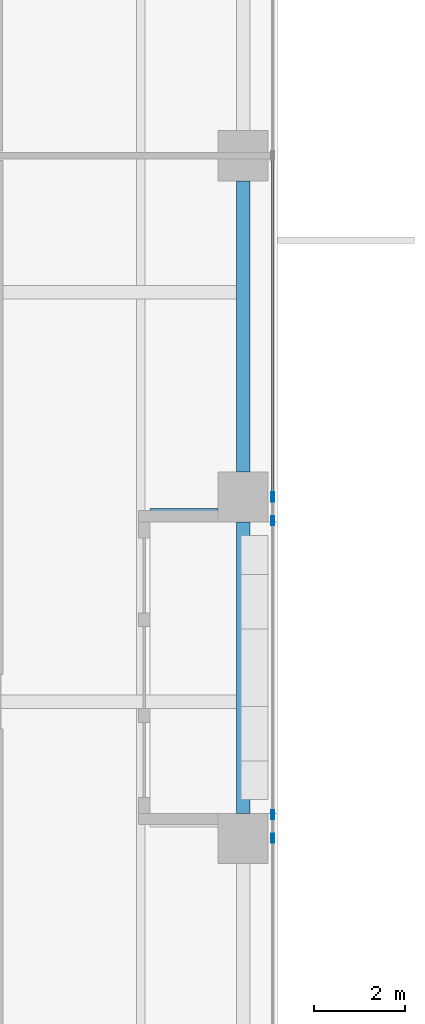
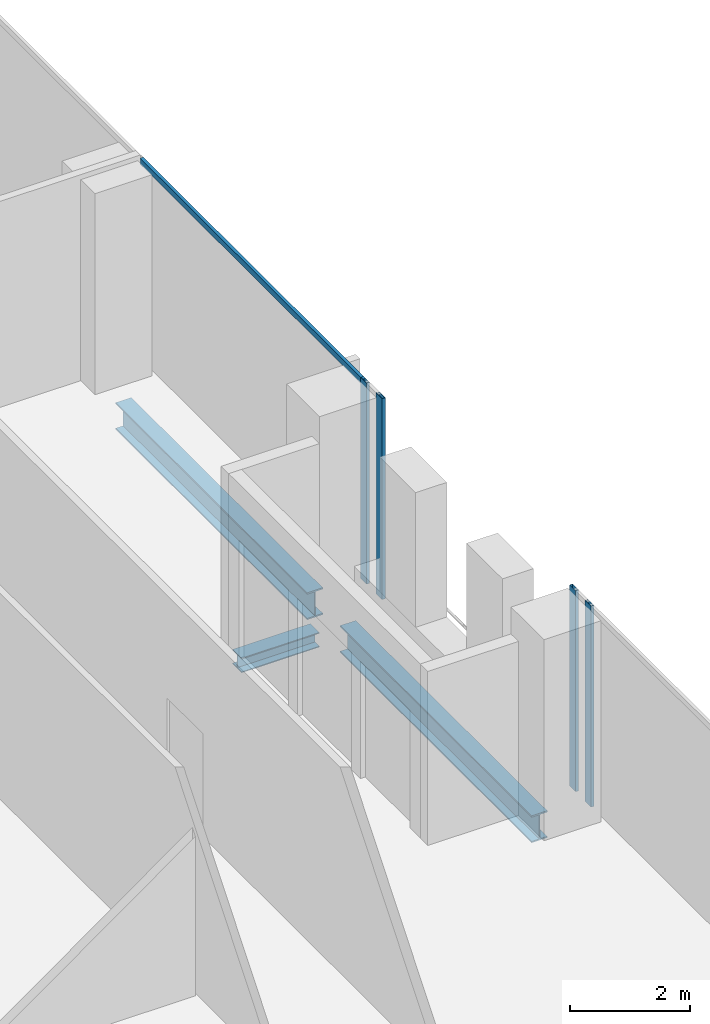
# One storey, part 13 of 34: 5 members, 3 beams, 2 elements without a shape of their own.
"""IFC4 building model written with IfcOpenShell, lengths in metres."""

from ifc_helpers import new_model, si_unit, direction, frame, origin, origin_2d, place, context, subcontext, project, spatial, hollow_rectangle, i_section, extrude, source, transform, mapped, material, material_profile, profile_set, type_object, element, aggregate, save


model = new_model("IFC4")

# Units and contexts
model_context = context("Model", 3, precision=1e-05, world=origin(), true_north=direction((0.0, 1.0)))
body_context = subcontext(model_context, "Body", "Model", "MODEL_VIEW")
ifc_project = project(units=[si_unit("LENGTHUNIT", "METRE"), si_unit("AREAUNIT", "SQUARE_METRE"), si_unit("VOLUMEUNIT", "CUBIC_METRE"), si_unit("PLANEANGLEUNIT", "RADIAN"), si_unit("MASSUNIT", "GRAM", prefix="KILO")], contexts=[model_context])

# Site, building, storey
site_placement = place(None, origin())
site = spatial("IfcSite", under=ifc_project, at=site_placement, CompositionType="ELEMENT")
building_placement = place(site_placement, origin())
building = spatial("IfcBuilding", under=site, at=building_placement, Name="Khomas Fold Tower", CompositionType="ELEMENT")
storey_placement = place(building_placement, frame((0.0, 0.0, 145.5)))
storey = spatial("IfcBuildingStorey", under=building, at=storey_placement, Name="L31", CompositionType="ELEMENT", Elevation=145.5)

# Beams
ifc_material_1 = material(Name="Steel S355", Category="steel")
ifc_material_profile_1 = material_profile(ifc_material_1, i_section(OverallWidth=0.300048828125, OverallDepth=0.550048828125, WebThickness=0.014892578125, FlangeThickness=0.029052734375, at=origin_2d()), Name="HE 550 B")
ifc_profile_set_1 = profile_set([ifc_material_profile_1], Name="Steel S355")
beam_type_1 = type_object("IfcBeamType", Name="HE 550 B spandrel SB2", PredefinedType="SPANDREL", material=ifc_profile_set_1)
shared_shape_1 = source(origin(), body_context, "Body", "SweptSolid", [
    extrude(i_section(OverallWidth=0.300048828125, OverallDepth=0.550048828125, WebThickness=0.014892578125, FlangeThickness=0.029052734375, at=origin_2d()), origin(), (0.0, 0.0, 1.0), 6.39990234375),
])
for number, where, z_axis, x_axis, name in (
    (1, (51.75, 20.050048828125, -0.574951171875), (0.0, 1.0, 0.0), (-1.0, 0.0, 0.0), "SB2"),
    (2, (51.75, 27.550048828125, -0.574951171875), (0.0, 1.0, 0.0), (-1.0, 0.0, 0.0), "SB2"),
):
    element("IfcBeam", number, at=place(storey_placement, frame(where, z_axis=z_axis, x_axis=x_axis)), inside=storey, type_object=beam_type_1, Name=name, PredefinedType="SPANDREL", context=body_context, shape_type="MappedRepresentation", body=[
        mapped(shared_shape_1, transform((0.0, 0.0, 0.0))),
    ])
ifc_material_2 = material(Name="Steel S355", Category="steel")
ifc_material_profile_2 = material_profile(ifc_material_2, i_section(OverallWidth=0.300048828125, OverallDepth=0.300048828125, WebThickness=0.010986328125, FlangeThickness=0.01904296875, at=origin_2d()), Name="HE 300 B")
ifc_profile_set_2 = profile_set([ifc_material_profile_2], Name="Steel S355")
beam_type_2 = type_object("IfcBeamType", Name="HE 300 B beam BB1", PredefinedType="BEAM", material=ifc_profile_set_2)
shared_shape_2 = source(origin(), body_context, "Body", "SweptSolid", [
    extrude(i_section(OverallWidth=0.300048828125, OverallDepth=0.300048828125, WebThickness=0.010986328125, FlangeThickness=0.01904296875, at=origin_2d()), origin(), (0.0, 0.0, 1.0), 1.5),
])
beam_placement = place(storey_placement, frame((49.699951171875, 26.60009765625, -0.449951171875), z_axis=(1.0, 0.0, 0.0), x_axis=(0.0, 1.0, 0.0)))
element("IfcBeam", 3, at=beam_placement, inside=storey, type_object=beam_type_2, Name="BB1", PredefinedType="BEAM", context=body_context, shape_type="MappedRepresentation", body=[
    mapped(shared_shape_2, transform((0.0, 0.0, 0.0))),
])

# Curtain wall, member
ifc_material_3 = material(Name="Aluminium framed double glazing", Category="aluminium")
curtain_wall_type = type_object("IfcCurtainWallType", Name="SK-Unitised clear-glass wall, growing floors CW1", PredefinedType="NOTDEFINED", material=ifc_material_3)
curtain_wall_1_placement = place(storey_placement, origin())
curtain_wall_1 = element("IfcCurtainWall", 4, at=curtain_wall_1_placement, inside=storey, type_object=curtain_wall_type, Name="CW1 run L31 03-1", PredefinedType="NOTDEFINED")
ifc_material_4 = material(Name="Aluminium", Category="aluminium")
ifc_material_profile_3 = material_profile(ifc_material_4, hollow_rectangle(XDim=0.06005859375, YDim=0.1201171875, WallThickness=0.00390625, at=origin_2d()), Name="SK-Unitised clear-glass wall, growing floors transom CW1-T")
ifc_profile_set_3 = profile_set([ifc_material_profile_3], Name="Aluminium")
member_type_1 = type_object("IfcMemberType", Name="SK-Unitised clear-glass wall, growing floors transom CW1-T", PredefinedType="USERDEFINED", material=ifc_profile_set_3)
shared_shape_3 = source(origin(), body_context, "Body", "SweptSolid", [
    extrude(hollow_rectangle(XDim=0.06005859375, YDim=0.1201171875, WallThickness=0.00390625, at=origin_2d()), origin(), (0.0, 0.0, 1.0), 7.43994140625),
])
member_1_placement = place(storey_placement, frame((52.39990234375, 27.030029296875, 4.0400390625), z_axis=(0.0, 1.0, 0.0), x_axis=(-1.0, 0.0, 0.0)))
member_1 = element("IfcMember", 5, at=member_1_placement, type_object=member_type_1, Name="CW1 transom 2", ObjectType="TRANSOM", PredefinedType="USERDEFINED", context=body_context, shape_type="MappedRepresentation", body=[
    mapped(shared_shape_3, transform((0.0, 0.0, 0.0))),
])

# Curtain wall, members
curtain_wall_2_placement = place(storey_placement, origin())
curtain_wall_2 = element("IfcCurtainWall", 6, at=curtain_wall_2_placement, inside=storey, type_object=curtain_wall_type, Name="CW1 run L31 03-0", PredefinedType="NOTDEFINED")
ifc_material_5 = material(Name="Aluminium", Category="aluminium")
ifc_material_profile_4 = material_profile(ifc_material_5, hollow_rectangle(XDim=0.06005859375, YDim=0.199951171875, WallThickness=0.00390625, at=origin_2d()), Name="SK-Unitised clear-glass wall, growing floors mullion CW1-M")
ifc_profile_set_4 = profile_set([ifc_material_profile_4], Name="Aluminium")
member_type_2 = type_object("IfcMemberType", Name="SK-Unitised clear-glass wall, growing floors mullion CW1-M", PredefinedType="MULLION", material=ifc_profile_set_4)
shared_shape_4 = source(origin(), body_context, "Body", "SweptSolid", [
    extrude(hollow_rectangle(XDim=0.06005859375, YDim=0.199951171875, WallThickness=0.00390625, at=origin_2d()), origin(), (0.0, 0.0, 1.0), 4.10009765625),
])
member_2_placement = place(storey_placement, frame((52.39990234375, 19.5, 0.0), z_axis=(0.0, 0.0, 1.0), x_axis=(-1.0, 0.0, 0.0)))
member_2 = element("IfcMember", 7, at=member_2_placement, type_object=member_type_2, Name="CW1 mullion 4", PredefinedType="MULLION", context=body_context, shape_type="MappedRepresentation", body=[
    mapped(shared_shape_4, transform((0.0, 0.0, 0.0))),
])
member_3_placement = place(storey_placement, frame((52.39990234375, 20.02001953125, 0.0), z_axis=(0.0, 0.0, 1.0), x_axis=(-1.0, 0.0, 0.0)))
member_3 = element("IfcMember", 8, at=member_3_placement, type_object=member_type_2, Name="CW1 mullion 5", PredefinedType="MULLION", context=body_context, shape_type="MappedRepresentation", body=[
    mapped(shared_shape_4, transform((0.0, 0.0, 0.0))),
])
aggregate(curtain_wall_2, [member_2, member_3])

# Member
member_4_placement = place(storey_placement, frame((52.39990234375, 26.47998046875, 0.0), z_axis=(0.0, 0.0, 1.0), x_axis=(-1.0, 0.0, 0.0)))
member_4 = element("IfcMember", 9, at=member_4_placement, type_object=member_type_2, Name="CW1 mullion 1", PredefinedType="MULLION", context=body_context, shape_type="MappedRepresentation", body=[
    mapped(shared_shape_4, transform((0.0, 0.0, 0.0))),
])

member_5_placement = place(storey_placement, frame((52.39990234375, 27.0, 0.0), z_axis=(0.0, 0.0, 1.0), x_axis=(-1.0, 0.0, 0.0)))
member_5 = element("IfcMember", 10, at=member_5_placement, type_object=member_type_2, Name="CW1 mullion 2", PredefinedType="MULLION", context=body_context, shape_type="MappedRepresentation", body=[
    mapped(shared_shape_4, transform((0.0, 0.0, 0.0))),
])

aggregate(curtain_wall_1, [member_4, member_5, member_1])

save(model, "model.ifc")
